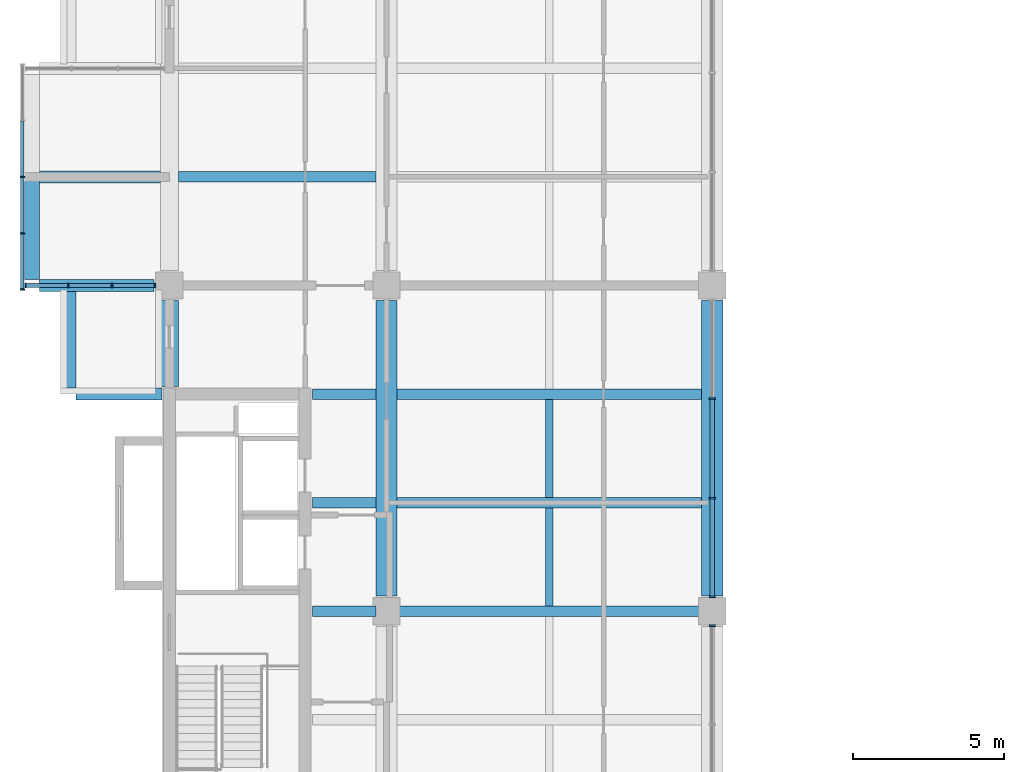
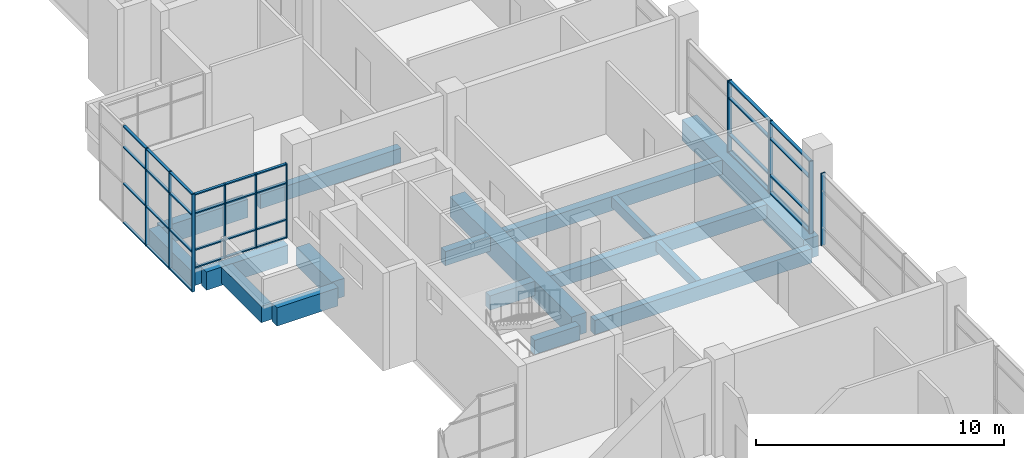
# One storey, part 11 of 32: 43 members, 17 beams, 4 elements without a shape of their own.
"""IFC4 building model written with IfcOpenShell, lengths in metres."""

from ifc_helpers import new_model, si_unit, direction, frame, origin, origin_2d, place, context, subcontext, project, spatial, rectangle, extrude, material, layer, layer_set, material_profile, profile_set, type_object, element, aggregate, save


model = new_model("IFC4")

# Units and contexts
model_context = context("Model", 3, precision=1e-05, world=origin(), true_north=direction((0.0, 1.0)))
body_context = subcontext(model_context, "Body", "Model", "MODEL_VIEW")
ifc_project = project(units=[si_unit("LENGTHUNIT", "METRE"), si_unit("AREAUNIT", "SQUARE_METRE"), si_unit("VOLUMEUNIT", "CUBIC_METRE"), si_unit("PLANEANGLEUNIT", "RADIAN"), si_unit("MASSUNIT", "GRAM", prefix="KILO")], contexts=[model_context])

# Site, building, storey
site_placement = place(None, origin())
site = spatial("IfcSite", under=ifc_project, at=site_placement, CompositionType="ELEMENT")
building_placement = place(site_placement, origin())
building = spatial("IfcBuilding", under=site, at=building_placement, Name="Basin Gate Institute", CompositionType="ELEMENT")
storey_placement = place(building_placement, frame((0.0, 0.0, 41.39990234375)))
storey = spatial("IfcBuildingStorey", under=building, at=storey_placement, Name="L08", CompositionType="ELEMENT", Elevation=41.39990234375)

# Beams
ifc_material_1 = material(Name="Concrete 40 MPa", Category="concrete")
ifc_material_profile_1 = material_profile(ifc_material_1, rectangle(XDim=0.35009765625, YDim=0.699951171875, at=origin_2d()), Name="Beam B1 350 x 700")
ifc_profile_set_1 = profile_set([ifc_material_profile_1], Name="Concrete 40 MPa")
beam_type_1 = type_object("IfcBeamType", Name="Beam B1 R120", PredefinedType="BEAM", material=ifc_profile_set_1)
beam_1_placement = place(storey_placement, frame((68.75, 67.5, -0.599853515625), z_axis=(1.0, 0.0, 0.0), x_axis=(0.0, 1.0, 0.0)))
element("IfcBeam", 1, at=beam_1_placement, inside=storey, type_object=beam_type_1, material=ifc_profile_set_1, Name="BEAM/L08/W/EW/10", PredefinedType="BEAM", context=body_context, shape_type="SweptSolid", body=[
    extrude(rectangle(XDim=0.35009765625, YDim=0.699951171875, at=origin_2d()), origin(), (0.0, 0.0, 1.0), 10.10009765625),
])
beam_2_placement = place(storey_placement, frame((65.949951171875, 67.5, -0.599853515625), z_axis=(1.0, 0.0, 0.0), x_axis=(0.0, 1.0, 0.0)))
element("IfcBeam", 2, at=beam_2_placement, inside=storey, type_object=beam_type_1, material=ifc_profile_set_1, Name="BEAM/L08/W/CORR/10", PredefinedType="BEAM", context=body_context, shape_type="SweptSolid", body=[
    extrude(rectangle(XDim=0.35009765625, YDim=0.699951171875, at=origin_2d()), origin(), (0.0, 0.0, 1.0), 2.10009765625),
])
beam_3_placement = place(storey_placement, frame((68.75, 71.10009765625, -0.599853515625), z_axis=(1.0, 0.0, 0.0), x_axis=(0.0, 1.0, 0.0)))
element("IfcBeam", 3, at=beam_3_placement, inside=storey, type_object=beam_type_1, material=ifc_profile_set_1, Name="BEAM/L08/W/EW/11", PredefinedType="BEAM", context=body_context, shape_type="SweptSolid", body=[
    extrude(rectangle(XDim=0.35009765625, YDim=0.699951171875, at=origin_2d()), origin(), (0.0, 0.0, 1.0), 10.10009765625),
])
beam_4_placement = place(storey_placement, frame((65.949951171875, 71.10009765625, -0.599853515625), z_axis=(1.0, 0.0, 0.0), x_axis=(0.0, 1.0, 0.0)))
element("IfcBeam", 4, at=beam_4_placement, inside=storey, type_object=beam_type_1, material=ifc_profile_set_1, Name="BEAM/L08/W/CORR/11", PredefinedType="BEAM", context=body_context, shape_type="SweptSolid", body=[
    extrude(rectangle(XDim=0.35009765625, YDim=0.699951171875, at=origin_2d()), origin(), (0.0, 0.0, 1.0), 2.10009765625),
])
beam_5_placement = place(storey_placement, frame((68.75, 74.699951171875, -0.599853515625), z_axis=(1.0, 0.0, 0.0), x_axis=(0.0, 1.0, 0.0)))
element("IfcBeam", 5, at=beam_5_placement, inside=storey, type_object=beam_type_1, material=ifc_profile_set_1, Name="BEAM/L08/W/EW/12", PredefinedType="BEAM", context=body_context, shape_type="SweptSolid", body=[
    extrude(rectangle(XDim=0.35009765625, YDim=0.699951171875, at=origin_2d()), origin(), (0.0, 0.0, 1.0), 10.10009765625),
])
beam_6_placement = place(storey_placement, frame((65.949951171875, 74.699951171875, -0.599853515625), z_axis=(1.0, 0.0, 0.0), x_axis=(0.0, 1.0, 0.0)))
element("IfcBeam", 6, at=beam_6_placement, inside=storey, type_object=beam_type_1, material=ifc_profile_set_1, Name="BEAM/L08/W/CORR/12", PredefinedType="BEAM", context=body_context, shape_type="SweptSolid", body=[
    extrude(rectangle(XDim=0.35009765625, YDim=0.699951171875, at=origin_2d()), origin(), (0.0, 0.0, 1.0), 2.10009765625),
])
beam_7_placement = place(storey_placement, frame((61.5, 81.89990234375, -0.599853515625), z_axis=(1.0, 0.0, 0.0), x_axis=(0.0, 1.0, 0.0)))
element("IfcBeam", 7, at=beam_7_placement, inside=storey, type_object=beam_type_1, material=ifc_profile_set_1, Name="BEAM/L08/W/OUT/14", PredefinedType="BEAM", context=body_context, shape_type="SweptSolid", body=[
    extrude(rectangle(XDim=0.35009765625, YDim=0.699951171875, at=origin_2d()), origin(), (0.0, 0.0, 1.0), 6.550048828125),
])
ifc_material_2 = material(Name="Concrete 50 MPa", Category="concrete")
ifc_material_profile_2 = material_profile(ifc_material_2, rectangle(XDim=0.39990234375, YDim=0.89990234375, at=origin_2d()), Name="Cantilever beam B3 400 x 900")
ifc_profile_set_2 = profile_set([ifc_material_profile_2], Name="Concrete 50 MPa")
beam_type_2 = type_object("IfcBeamType", Name="Cantilever beam B3 R120", PredefinedType="BEAM", material=ifc_profile_set_2)
beam_8_placement = place(storey_placement, frame((58.10009765625, 74.699951171875, -0.699951171875), z_axis=(1.0, 0.0, 0.0), x_axis=(0.0, 1.0, 0.0)))
element("IfcBeam", 8, at=beam_8_placement, inside=storey, type_object=beam_type_2, material=ifc_profile_set_2, Name="BEAM/L08/W/CANT/12", PredefinedType="BEAM", context=body_context, shape_type="SweptSolid", body=[
    extrude(rectangle(XDim=0.39990234375, YDim=0.89990234375, at=origin_2d()), origin(), (0.0, 0.0, 1.0), 2.849853515625),
])
beam_9_placement = place(storey_placement, frame((56.89990234375, 78.300048828125, -0.699951171875), z_axis=(1.0, 0.0, 0.0), x_axis=(0.0, 1.0, 0.0)))
element("IfcBeam", 9, at=beam_9_placement, inside=storey, type_object=beam_type_2, material=ifc_profile_set_2, Name="BEAM/L08/W/CANT/13", PredefinedType="BEAM", context=body_context, shape_type="SweptSolid", body=[
    extrude(rectangle(XDim=0.39990234375, YDim=0.89990234375, at=origin_2d()), origin(), (0.0, 0.0, 1.0), 3.800048828125),
])
beam_10_placement = place(storey_placement, frame((56.89990234375, 81.89990234375, -0.699951171875), z_axis=(1.0, 0.0, 0.0), x_axis=(0.0, 1.0, 0.0)))
element("IfcBeam", 10, at=beam_10_placement, inside=storey, type_object=beam_type_2, material=ifc_profile_set_2, Name="BEAM/L08/W/CANT/14", PredefinedType="BEAM", context=body_context, shape_type="SweptSolid", body=[
    extrude(rectangle(XDim=0.39990234375, YDim=0.89990234375, at=origin_2d()), origin(), (0.0, 0.0, 1.0), 4.0),
])
ifc_material_3 = material(Name="Concrete 50 MPa", Category="concrete")
ifc_material_profile_3 = material_profile(ifc_material_3, rectangle(XDim=0.60009765625, YDim=0.89990234375, at=origin_2d()), Name="Edge return beam EB3 600 x 900")
ifc_profile_set_3 = profile_set([ifc_material_profile_3], Name="Concrete 50 MPa")
beam_type_3 = type_object("IfcBeamType", Name="Edge return beam EB3 R120", PredefinedType="SPANDREL", material=ifc_profile_set_3)
beam_11_placement = place(storey_placement, frame((61.199951171875, 74.949951171875, -0.699951171875), z_axis=(0.0, 1.0, 0.0), x_axis=(-1.0, 0.0, 0.0)))
element("IfcBeam", 11, at=beam_11_placement, inside=storey, type_object=beam_type_3, material=ifc_profile_set_3, Name="BEAM/L08/W/EDGE/3", PredefinedType="SPANDREL", context=body_context, shape_type="SweptSolid", body=[
    extrude(rectangle(XDim=0.60009765625, YDim=0.89990234375, at=origin_2d()), origin(), (0.0, 0.0, 1.0), 2.85009765625),
])
ifc_material_4 = material(Name="Concrete 50 MPa", Category="concrete")
ifc_material_profile_4 = material_profile(ifc_material_4, rectangle(XDim=0.699951171875, YDim=1.0, at=origin_2d()), Name="Girder G1 700 x 1000")
ifc_profile_set_4 = profile_set([ifc_material_profile_4], Name="Concrete 50 MPa")
beam_type_4 = type_object("IfcBeamType", Name="Girder G1 R120", PredefinedType="BEAM", material=ifc_profile_set_4)
for number, where, z_axis, x_axis, name in (
    (12, (68.39990234375, 68.0, -0.75), (0.0, 1.0, 0.0), (-1.0, 0.0, 0.0), "GIR/L08/W5/4"),
    (13, (79.199951171875, 68.0, -0.75), (0.0, 1.0, 0.0), (-1.0, 0.0, 0.0), "GIR/L08/W6/4"),
):
    element("IfcBeam", number, at=place(storey_placement, frame(where, z_axis=z_axis, x_axis=x_axis)), inside=storey, type_object=beam_type_4, material=ifc_profile_set_4, Name=name, PredefinedType="BEAM", context=body_context, shape_type="SweptSolid", body=[
        extrude(rectangle(XDim=0.699951171875, YDim=1.0, at=origin_2d()), origin(), (0.0, 0.0, 1.0), 9.800048828125),
    ])

# Curtain wall, members
ifc_material_5 = material(Name="Aluminium-framed glazing", Category="aluminium")
ifc_layer_1 = layer(ifc_material_5, 0.14990234375)
ifc_layer_set_1 = layer_set([ifc_layer_1], Name="Capsule front curtain wall CW1")
curtain_wall_type_1 = type_object("IfcCurtainWallType", Name="Capsule front curtain wall CW1", PredefinedType="NOTDEFINED", material=ifc_layer_set_1)
curtain_wall_1_placement = place(storey_placement, origin())
curtain_wall_1 = element("IfcCurtainWall", 14, at=curtain_wall_1_placement, inside=storey, type_object=curtain_wall_type_1, material=ifc_layer_set_1, Name="Capsule front curtain wall W wing capsule end L08 line 13", PredefinedType="NOTDEFINED")
ifc_material_6 = material(Name="Aluminium", Category="aluminium")
ifc_material_profile_5 = material_profile(ifc_material_6, rectangle(XDim=0.14990234375, YDim=0.050048828125, at=origin_2d()), Name="Mullion MU1 150 x 50")
ifc_profile_set_5 = profile_set([ifc_material_profile_5], Name="Aluminium")
member_type_1 = type_object("IfcMemberType", Name="Mullion MU1", PredefinedType="MULLION", material=ifc_profile_set_5)
member_1_placement = place(storey_placement, frame((56.425048828125, 78.300048828125, 0.0), z_axis=(0.0, 0.0, 1.0), x_axis=(0.0, 1.0, 0.0)))
member_1 = element("IfcMember", 15, at=member_1_placement, type_object=member_type_1, material=ifc_profile_set_5, Name="CW1 mullion 1", PredefinedType="MULLION", context=body_context, shape_type="SweptSolid", body=[
    extrude(rectangle(XDim=0.14990234375, YDim=0.050048828125, at=origin_2d()), origin(), (0.0, 0.0, 1.0), 3.650146484375),
])
member_2_placement = place(storey_placement, frame((57.85009765625, 78.300048828125, 0.0), z_axis=(0.0, 0.0, 1.0), x_axis=(0.0, 1.0, 0.0)))
member_2 = element("IfcMember", 16, at=member_2_placement, type_object=member_type_1, material=ifc_profile_set_5, Name="CW1 mullion 2", PredefinedType="MULLION", context=body_context, shape_type="SweptSolid", body=[
    extrude(rectangle(XDim=0.14990234375, YDim=0.050048828125, at=origin_2d()), origin(), (0.0, 0.0, 1.0), 3.650146484375),
])
member_3_placement = place(storey_placement, frame((59.300048828125, 78.300048828125, 0.0), z_axis=(0.0, 0.0, 1.0), x_axis=(0.0, 1.0, 0.0)))
member_3 = element("IfcMember", 17, at=member_3_placement, type_object=member_type_1, material=ifc_profile_set_5, Name="CW1 mullion 3", PredefinedType="MULLION", context=body_context, shape_type="SweptSolid", body=[
    extrude(rectangle(XDim=0.14990234375, YDim=0.050048828125, at=origin_2d()), origin(), (0.0, 0.0, 1.0), 3.650146484375),
])
member_4_placement = place(storey_placement, frame((60.72509765625, 78.300048828125, 0.0), z_axis=(0.0, 0.0, 1.0), x_axis=(0.0, 1.0, 0.0)))
member_4 = element("IfcMember", 18, at=member_4_placement, type_object=member_type_1, material=ifc_profile_set_5, Name="CW1 mullion 4", PredefinedType="MULLION", context=body_context, shape_type="SweptSolid", body=[
    extrude(rectangle(XDim=0.14990234375, YDim=0.050048828125, at=origin_2d()), origin(), (0.0, 0.0, 1.0), 3.650146484375),
])

curtain_wall_2_placement = place(storey_placement, origin())
curtain_wall_2 = element("IfcCurtainWall", 19, at=curtain_wall_2_placement, inside=storey, type_object=curtain_wall_type_1, material=ifc_layer_set_1, Name="Capsule front curtain wall W wing capsule 2 L08 front 2", PredefinedType="NOTDEFINED")
member_5_placement = place(storey_placement, frame((56.324951171875, 78.175048828125, -1.0498046875), z_axis=(0.0, 0.0, 1.0), x_axis=(-1.0, 0.0, 0.0)))
member_5 = element("IfcMember", 20, at=member_5_placement, type_object=member_type_1, material=ifc_profile_set_5, Name="CW1 mullion 1", PredefinedType="MULLION", context=body_context, shape_type="SweptSolid", body=[
    extrude(rectangle(XDim=0.14990234375, YDim=0.050048828125, at=origin_2d()), origin(), (0.0, 0.0, 1.0), 4.7998046875),
])
member_6_placement = place(storey_placement, frame((56.324951171875, 80.02490234375, -1.0498046875), z_axis=(0.0, 0.0, 1.0), x_axis=(-1.0, 0.0, 0.0)))
member_6 = element("IfcMember", 21, at=member_6_placement, type_object=member_type_1, material=ifc_profile_set_5, Name="CW1 mullion 2", PredefinedType="MULLION", context=body_context, shape_type="SweptSolid", body=[
    extrude(rectangle(XDim=0.14990234375, YDim=0.050048828125, at=origin_2d()), origin(), (0.0, 0.0, 1.0), 4.7998046875),
])
member_7_placement = place(storey_placement, frame((56.324951171875, 81.89990234375, -1.0498046875), z_axis=(0.0, 0.0, 1.0), x_axis=(-1.0, 0.0, 0.0)))
member_7 = element("IfcMember", 22, at=member_7_placement, type_object=member_type_1, material=ifc_profile_set_5, Name="CW1 mullion 3", PredefinedType="MULLION", context=body_context, shape_type="SweptSolid", body=[
    extrude(rectangle(XDim=0.14990234375, YDim=0.050048828125, at=origin_2d()), origin(), (0.0, 0.0, 1.0), 4.7998046875),
])

# Curtain wall, member
ifc_material_7 = material(Name="Aluminium-framed glazing", Category="aluminium")
ifc_layer_2 = layer(ifc_material_7, 0.199951171875)
ifc_layer_set_2 = layer_set([ifc_layer_2], Name="Atrium curtain wall CW2")
curtain_wall_type_2 = type_object("IfcCurtainWallType", Name="Atrium curtain wall CW2", PredefinedType="NOTDEFINED", material=ifc_layer_set_2)
curtain_wall_3_placement = place(storey_placement, origin())
curtain_wall_3 = element("IfcCurtainWall", 23, at=curtain_wall_3_placement, inside=storey, type_object=curtain_wall_type_2, material=ifc_layer_set_2, Name="Atrium curtain wall W wing atrium bay 3 L08", PredefinedType="NOTDEFINED")
ifc_material_8 = material(Name="Aluminium", Category="aluminium")
ifc_material_profile_6 = material_profile(ifc_material_8, rectangle(XDim=0.199951171875, YDim=0.06005859375, at=origin_2d()), Name="Mullion MU2 200 x 60")
ifc_profile_set_6 = profile_set([ifc_material_profile_6], Name="Aluminium")
member_type_2 = type_object("IfcMemberType", Name="Mullion MU2", PredefinedType="MULLION", material=ifc_profile_set_6)
member_8_placement = place(storey_placement, frame((79.199951171875, 67.02001953125, 0.0), z_axis=(0.0, 0.0, 1.0), x_axis=(-1.0, 0.0, 0.0)))
member_8 = element("IfcMember", 24, at=member_8_placement, type_object=member_type_2, material=ifc_profile_set_6, Name="CW2 mullion 4", PredefinedType="MULLION", context=body_context, shape_type="SweptSolid", body=[
    extrude(rectangle(XDim=0.199951171875, YDim=0.06005859375, at=origin_2d()), origin(), (0.0, 0.0, 1.0), 3.550048828125),
])
aggregate(curtain_wall_3, [member_8])

# Curtain wall, members
curtain_wall_4_placement = place(storey_placement, origin())
curtain_wall_4 = element("IfcCurtainWall", 25, at=curtain_wall_4_placement, inside=storey, type_object=curtain_wall_type_2, material=ifc_layer_set_2, Name="Atrium curtain wall W wing atrium bay 4 L08", PredefinedType="NOTDEFINED")
member_9_placement = place(storey_placement, frame((79.199951171875, 67.97998046875, 0.0), z_axis=(0.0, 0.0, 1.0), x_axis=(-1.0, 0.0, 0.0)))
member_9 = element("IfcMember", 26, at=member_9_placement, type_object=member_type_2, material=ifc_profile_set_6, Name="CW2 mullion 1", PredefinedType="MULLION", context=body_context, shape_type="SweptSolid", body=[
    extrude(rectangle(XDim=0.199951171875, YDim=0.06005859375, at=origin_2d()), origin(), (0.0, 0.0, 1.0), 3.550048828125),
])
member_10_placement = place(storey_placement, frame((79.199951171875, 71.25, 0.0), z_axis=(0.0, 0.0, 1.0), x_axis=(-1.0, 0.0, 0.0)))
member_10 = element("IfcMember", 27, at=member_10_placement, type_object=member_type_2, material=ifc_profile_set_6, Name="CW2 mullion 2", PredefinedType="MULLION", context=body_context, shape_type="SweptSolid", body=[
    extrude(rectangle(XDim=0.199951171875, YDim=0.06005859375, at=origin_2d()), origin(), (0.0, 0.0, 1.0), 3.550048828125),
])
member_11_placement = place(storey_placement, frame((79.199951171875, 74.550048828125, 0.0), z_axis=(0.0, 0.0, 1.0), x_axis=(-1.0, 0.0, 0.0)))
member_11 = element("IfcMember", 28, at=member_11_placement, type_object=member_type_2, material=ifc_profile_set_6, Name="CW2 mullion 3", PredefinedType="MULLION", context=body_context, shape_type="SweptSolid", body=[
    extrude(rectangle(XDim=0.199951171875, YDim=0.06005859375, at=origin_2d()), origin(), (0.0, 0.0, 1.0), 3.550048828125),
])

# Beams
ifc_material_9 = material(Name="Concrete 40 MPa", Category="concrete")
ifc_material_profile_7 = material_profile(ifc_material_9, rectangle(XDim=0.25, YDim=0.5, at=origin_2d()), Name="Rib R1 250 x 500")
ifc_profile_set_7 = profile_set([ifc_material_profile_7], Name="Concrete 40 MPa")
beam_type_5 = type_object("IfcBeamType", Name="Rib R1 R120", PredefinedType="JOIST", material=ifc_profile_set_7)
for number, where, z_axis, x_axis, name in (
    (29, (73.800048828125, 67.675048828125, -0.5), (0.0, 1.0, 0.0), (-1.0, 0.0, 0.0), "BEAM/L08/W/RIB/10"),
    (30, (73.800048828125, 71.27490234375, -0.5), (0.0, 1.0, 0.0), (-1.0, 0.0, 0.0), "BEAM/L08/W/RIB/11"),
):
    element("IfcBeam", number, at=place(storey_placement, frame(where, z_axis=z_axis, x_axis=x_axis)), inside=storey, type_object=beam_type_5, material=ifc_profile_set_7, Name=name, PredefinedType="JOIST", context=body_context, shape_type="SweptSolid", body=[
        extrude(rectangle(XDim=0.25, YDim=0.5, at=origin_2d()), origin(), (0.0, 0.0, 1.0), 3.25),
    ])
ifc_material_10 = material(Name="Concrete 50 MPa", Category="concrete")
ifc_material_profile_8 = material_profile(ifc_material_10, rectangle(XDim=0.5, YDim=0.800048828125, at=origin_2d()), Name="Tip beam TB1 500 x 800")
ifc_profile_set_8 = profile_set([ifc_material_profile_8], Name="Concrete 50 MPa")
beam_type_6 = type_object("IfcBeamType", Name="Tip beam TB1 R120", PredefinedType="SPANDREL", material=ifc_profile_set_8)
beam_12_placement = place(storey_placement, frame((57.85009765625, 74.89990234375, -0.64990234375), z_axis=(0.0, 1.0, 0.0), x_axis=(-1.0, 0.0, 0.0)))
element("IfcBeam", 31, at=beam_12_placement, inside=storey, type_object=beam_type_6, material=ifc_profile_set_8, Name="BEAM/L08/W/TIP/5", PredefinedType="SPANDREL", context=body_context, shape_type="SweptSolid", body=[
    extrude(rectangle(XDim=0.5, YDim=0.800048828125, at=origin_2d()), origin(), (0.0, 0.0, 1.0), 3.2001953125),
])
beam_13_placement = place(storey_placement, frame((56.64990234375, 78.5, -0.64990234375), z_axis=(0.0, 1.0, 0.0), x_axis=(-1.0, 0.0, 0.0)))
element("IfcBeam", 32, at=beam_13_placement, inside=storey, type_object=beam_type_6, material=ifc_profile_set_8, Name="BEAM/L08/W/TIP/6", PredefinedType="SPANDREL", context=body_context, shape_type="SweptSolid", body=[
    extrude(rectangle(XDim=0.5, YDim=0.800048828125, at=origin_2d()), origin(), (0.0, 0.0, 1.0), 3.39990234375),
])

# Member
ifc_material_11 = material(Name="Aluminium", Category="aluminium")
ifc_material_profile_9 = material_profile(ifc_material_11, rectangle(XDim=0.1201171875, YDim=0.06005859375, at=origin_2d()), Name="Transom TR1 120 x 60")
ifc_profile_set_9 = profile_set([ifc_material_profile_9], Name="Aluminium")
member_type_3 = type_object("IfcMemberType", Name="Transom TR1", PredefinedType="USERDEFINED", material=ifc_profile_set_9)
member_12_placement = place(storey_placement, frame((56.449951171875, 78.300048828125, 0.030029296875), z_axis=(1.0, 0.0, 0.0), x_axis=(0.0, 1.0, 0.0)))
member_12 = element("IfcMember", 33, at=member_12_placement, type_object=member_type_3, material=ifc_profile_set_9, Name="CW1 transom 1.1", ObjectType="TRANSOM", PredefinedType="USERDEFINED", context=body_context, shape_type="SweptSolid", body=[
    extrude(rectangle(XDim=0.1201171875, YDim=0.06005859375, at=origin_2d()), origin(), (0.0, 0.0, 1.0), 1.375),
])

member_13_placement = place(storey_placement, frame((56.449951171875, 78.300048828125, 0.900146484375), z_axis=(1.0, 0.0, 0.0), x_axis=(0.0, 1.0, 0.0)))
member_13 = element("IfcMember", 34, at=member_13_placement, type_object=member_type_3, material=ifc_profile_set_9, Name="CW1 transom 1.2", ObjectType="TRANSOM", PredefinedType="USERDEFINED", context=body_context, shape_type="SweptSolid", body=[
    extrude(rectangle(XDim=0.1201171875, YDim=0.06005859375, at=origin_2d()), origin(), (0.0, 0.0, 1.0), 1.375),
])

member_14_placement = place(storey_placement, frame((56.449951171875, 78.300048828125, 2.7001953125), z_axis=(1.0, 0.0, 0.0), x_axis=(0.0, 1.0, 0.0)))
member_14 = element("IfcMember", 35, at=member_14_placement, type_object=member_type_3, material=ifc_profile_set_9, Name="CW1 transom 1.3", ObjectType="TRANSOM", PredefinedType="USERDEFINED", context=body_context, shape_type="SweptSolid", body=[
    extrude(rectangle(XDim=0.1201171875, YDim=0.06005859375, at=origin_2d()), origin(), (0.0, 0.0, 1.0), 1.375),
])

member_15_placement = place(storey_placement, frame((56.449951171875, 78.300048828125, 3.6201171875), z_axis=(1.0, 0.0, 0.0), x_axis=(0.0, 1.0, 0.0)))
member_15 = element("IfcMember", 36, at=member_15_placement, type_object=member_type_3, material=ifc_profile_set_9, Name="CW1 transom 1.4", ObjectType="TRANSOM", PredefinedType="USERDEFINED", context=body_context, shape_type="SweptSolid", body=[
    extrude(rectangle(XDim=0.1201171875, YDim=0.06005859375, at=origin_2d()), origin(), (0.0, 0.0, 1.0), 1.375),
])

member_16_placement = place(storey_placement, frame((57.875, 78.300048828125, 0.030029296875), z_axis=(1.0, 0.0, 0.0), x_axis=(0.0, 1.0, 0.0)))
member_16 = element("IfcMember", 37, at=member_16_placement, type_object=member_type_3, material=ifc_profile_set_9, Name="CW1 transom 2.1", ObjectType="TRANSOM", PredefinedType="USERDEFINED", context=body_context, shape_type="SweptSolid", body=[
    extrude(rectangle(XDim=0.1201171875, YDim=0.06005859375, at=origin_2d()), origin(), (0.0, 0.0, 1.0), 1.39990234375),
])

member_17_placement = place(storey_placement, frame((57.875, 78.300048828125, 0.900146484375), z_axis=(1.0, 0.0, 0.0), x_axis=(0.0, 1.0, 0.0)))
member_17 = element("IfcMember", 38, at=member_17_placement, type_object=member_type_3, material=ifc_profile_set_9, Name="CW1 transom 2.2", ObjectType="TRANSOM", PredefinedType="USERDEFINED", context=body_context, shape_type="SweptSolid", body=[
    extrude(rectangle(XDim=0.1201171875, YDim=0.06005859375, at=origin_2d()), origin(), (0.0, 0.0, 1.0), 1.39990234375),
])

member_18_placement = place(storey_placement, frame((57.875, 78.300048828125, 2.7001953125), z_axis=(1.0, 0.0, 0.0), x_axis=(0.0, 1.0, 0.0)))
member_18 = element("IfcMember", 39, at=member_18_placement, type_object=member_type_3, material=ifc_profile_set_9, Name="CW1 transom 2.3", ObjectType="TRANSOM", PredefinedType="USERDEFINED", context=body_context, shape_type="SweptSolid", body=[
    extrude(rectangle(XDim=0.1201171875, YDim=0.06005859375, at=origin_2d()), origin(), (0.0, 0.0, 1.0), 1.39990234375),
])

member_19_placement = place(storey_placement, frame((57.875, 78.300048828125, 3.6201171875), z_axis=(1.0, 0.0, 0.0), x_axis=(0.0, 1.0, 0.0)))
member_19 = element("IfcMember", 40, at=member_19_placement, type_object=member_type_3, material=ifc_profile_set_9, Name="CW1 transom 2.4", ObjectType="TRANSOM", PredefinedType="USERDEFINED", context=body_context, shape_type="SweptSolid", body=[
    extrude(rectangle(XDim=0.1201171875, YDim=0.06005859375, at=origin_2d()), origin(), (0.0, 0.0, 1.0), 1.39990234375),
])

member_20_placement = place(storey_placement, frame((59.324951171875, 78.300048828125, 0.030029296875), z_axis=(1.0, 0.0, 0.0), x_axis=(0.0, 1.0, 0.0)))
member_20 = element("IfcMember", 41, at=member_20_placement, type_object=member_type_3, material=ifc_profile_set_9, Name="CW1 transom 3.1", ObjectType="TRANSOM", PredefinedType="USERDEFINED", context=body_context, shape_type="SweptSolid", body=[
    extrude(rectangle(XDim=0.1201171875, YDim=0.06005859375, at=origin_2d()), origin(), (0.0, 0.0, 1.0), 1.375),
])

member_21_placement = place(storey_placement, frame((59.324951171875, 78.300048828125, 0.900146484375), z_axis=(1.0, 0.0, 0.0), x_axis=(0.0, 1.0, 0.0)))
member_21 = element("IfcMember", 42, at=member_21_placement, type_object=member_type_3, material=ifc_profile_set_9, Name="CW1 transom 3.2", ObjectType="TRANSOM", PredefinedType="USERDEFINED", context=body_context, shape_type="SweptSolid", body=[
    extrude(rectangle(XDim=0.1201171875, YDim=0.06005859375, at=origin_2d()), origin(), (0.0, 0.0, 1.0), 1.375),
])

member_22_placement = place(storey_placement, frame((59.324951171875, 78.300048828125, 2.7001953125), z_axis=(1.0, 0.0, 0.0), x_axis=(0.0, 1.0, 0.0)))
member_22 = element("IfcMember", 43, at=member_22_placement, type_object=member_type_3, material=ifc_profile_set_9, Name="CW1 transom 3.3", ObjectType="TRANSOM", PredefinedType="USERDEFINED", context=body_context, shape_type="SweptSolid", body=[
    extrude(rectangle(XDim=0.1201171875, YDim=0.06005859375, at=origin_2d()), origin(), (0.0, 0.0, 1.0), 1.375),
])

member_23_placement = place(storey_placement, frame((59.324951171875, 78.300048828125, 3.6201171875), z_axis=(1.0, 0.0, 0.0), x_axis=(0.0, 1.0, 0.0)))
member_23 = element("IfcMember", 44, at=member_23_placement, type_object=member_type_3, material=ifc_profile_set_9, Name="CW1 transom 3.4", ObjectType="TRANSOM", PredefinedType="USERDEFINED", context=body_context, shape_type="SweptSolid", body=[
    extrude(rectangle(XDim=0.1201171875, YDim=0.06005859375, at=origin_2d()), origin(), (0.0, 0.0, 1.0), 1.375),
])

aggregate(curtain_wall_1, [member_1, member_2, member_3, member_4, member_12, member_13, member_14, member_15, member_16, member_17, member_18, member_19, member_20, member_21, member_22, member_23])

member_24_placement = place(storey_placement, frame((56.324951171875, 78.199951171875, -1.02001953125), z_axis=(0.0, 1.0, 0.0), x_axis=(-1.0, 0.0, 0.0)))
member_24 = element("IfcMember", 45, at=member_24_placement, type_object=member_type_3, material=ifc_profile_set_9, Name="CW1 transom 1.1", ObjectType="TRANSOM", PredefinedType="USERDEFINED", context=body_context, shape_type="SweptSolid", body=[
    extrude(rectangle(XDim=0.1201171875, YDim=0.06005859375, at=origin_2d()), origin(), (0.0, 0.0, 1.0), 1.800048828125),
])

member_25_placement = place(storey_placement, frame((56.324951171875, 78.199951171875, 0.900146484375), z_axis=(0.0, 1.0, 0.0), x_axis=(-1.0, 0.0, 0.0)))
member_25 = element("IfcMember", 46, at=member_25_placement, type_object=member_type_3, material=ifc_profile_set_9, Name="CW1 transom 1.2", ObjectType="TRANSOM", PredefinedType="USERDEFINED", context=body_context, shape_type="SweptSolid", body=[
    extrude(rectangle(XDim=0.1201171875, YDim=0.06005859375, at=origin_2d()), origin(), (0.0, 0.0, 1.0), 1.800048828125),
])

member_26_placement = place(storey_placement, frame((56.324951171875, 78.199951171875, 2.7001953125), z_axis=(0.0, 1.0, 0.0), x_axis=(-1.0, 0.0, 0.0)))
member_26 = element("IfcMember", 47, at=member_26_placement, type_object=member_type_3, material=ifc_profile_set_9, Name="CW1 transom 1.3", ObjectType="TRANSOM", PredefinedType="USERDEFINED", context=body_context, shape_type="SweptSolid", body=[
    extrude(rectangle(XDim=0.1201171875, YDim=0.06005859375, at=origin_2d()), origin(), (0.0, 0.0, 1.0), 1.800048828125),
])

member_27_placement = place(storey_placement, frame((56.324951171875, 78.199951171875, 3.72021484375), z_axis=(0.0, 1.0, 0.0), x_axis=(-1.0, 0.0, 0.0)))
member_27 = element("IfcMember", 48, at=member_27_placement, type_object=member_type_3, material=ifc_profile_set_9, Name="CW1 transom 1.4", ObjectType="TRANSOM", PredefinedType="USERDEFINED", context=body_context, shape_type="SweptSolid", body=[
    extrude(rectangle(XDim=0.1201171875, YDim=0.06005859375, at=origin_2d()), origin(), (0.0, 0.0, 1.0), 1.800048828125),
])

member_28_placement = place(storey_placement, frame((56.324951171875, 80.050048828125, -1.02001953125), z_axis=(0.0, 1.0, 0.0), x_axis=(-1.0, 0.0, 0.0)))
member_28 = element("IfcMember", 49, at=member_28_placement, type_object=member_type_3, material=ifc_profile_set_9, Name="CW1 transom 2.1", ObjectType="TRANSOM", PredefinedType="USERDEFINED", context=body_context, shape_type="SweptSolid", body=[
    extrude(rectangle(XDim=0.1201171875, YDim=0.06005859375, at=origin_2d()), origin(), (0.0, 0.0, 1.0), 1.824951171875),
])

member_29_placement = place(storey_placement, frame((56.324951171875, 80.050048828125, 0.900146484375), z_axis=(0.0, 1.0, 0.0), x_axis=(-1.0, 0.0, 0.0)))
member_29 = element("IfcMember", 50, at=member_29_placement, type_object=member_type_3, material=ifc_profile_set_9, Name="CW1 transom 2.2", ObjectType="TRANSOM", PredefinedType="USERDEFINED", context=body_context, shape_type="SweptSolid", body=[
    extrude(rectangle(XDim=0.1201171875, YDim=0.06005859375, at=origin_2d()), origin(), (0.0, 0.0, 1.0), 1.824951171875),
])

member_30_placement = place(storey_placement, frame((56.324951171875, 80.050048828125, 2.7001953125), z_axis=(0.0, 1.0, 0.0), x_axis=(-1.0, 0.0, 0.0)))
member_30 = element("IfcMember", 51, at=member_30_placement, type_object=member_type_3, material=ifc_profile_set_9, Name="CW1 transom 2.3", ObjectType="TRANSOM", PredefinedType="USERDEFINED", context=body_context, shape_type="SweptSolid", body=[
    extrude(rectangle(XDim=0.1201171875, YDim=0.06005859375, at=origin_2d()), origin(), (0.0, 0.0, 1.0), 1.824951171875),
])

member_31_placement = place(storey_placement, frame((56.324951171875, 80.050048828125, 3.72021484375), z_axis=(0.0, 1.0, 0.0), x_axis=(-1.0, 0.0, 0.0)))
member_31 = element("IfcMember", 52, at=member_31_placement, type_object=member_type_3, material=ifc_profile_set_9, Name="CW1 transom 2.4", ObjectType="TRANSOM", PredefinedType="USERDEFINED", context=body_context, shape_type="SweptSolid", body=[
    extrude(rectangle(XDim=0.1201171875, YDim=0.06005859375, at=origin_2d()), origin(), (0.0, 0.0, 1.0), 1.824951171875),
])

member_32_placement = place(storey_placement, frame((56.324951171875, 81.925048828125, -1.02001953125), z_axis=(0.0, 1.0, 0.0), x_axis=(-1.0, 0.0, 0.0)))
member_32 = element("IfcMember", 53, at=member_32_placement, type_object=member_type_3, material=ifc_profile_set_9, Name="CW1 transom 3.1", ObjectType="TRANSOM", PredefinedType="USERDEFINED", context=body_context, shape_type="SweptSolid", body=[
    extrude(rectangle(XDim=0.1201171875, YDim=0.06005859375, at=origin_2d()), origin(), (0.0, 0.0, 1.0), 1.824951171875),
])

member_33_placement = place(storey_placement, frame((56.324951171875, 81.925048828125, 0.900146484375), z_axis=(0.0, 1.0, 0.0), x_axis=(-1.0, 0.0, 0.0)))
member_33 = element("IfcMember", 54, at=member_33_placement, type_object=member_type_3, material=ifc_profile_set_9, Name="CW1 transom 3.2", ObjectType="TRANSOM", PredefinedType="USERDEFINED", context=body_context, shape_type="SweptSolid", body=[
    extrude(rectangle(XDim=0.1201171875, YDim=0.06005859375, at=origin_2d()), origin(), (0.0, 0.0, 1.0), 1.824951171875),
])

member_34_placement = place(storey_placement, frame((56.324951171875, 81.925048828125, 2.7001953125), z_axis=(0.0, 1.0, 0.0), x_axis=(-1.0, 0.0, 0.0)))
member_34 = element("IfcMember", 55, at=member_34_placement, type_object=member_type_3, material=ifc_profile_set_9, Name="CW1 transom 3.3", ObjectType="TRANSOM", PredefinedType="USERDEFINED", context=body_context, shape_type="SweptSolid", body=[
    extrude(rectangle(XDim=0.1201171875, YDim=0.06005859375, at=origin_2d()), origin(), (0.0, 0.0, 1.0), 1.824951171875),
])

member_35_placement = place(storey_placement, frame((56.324951171875, 81.925048828125, 3.72021484375), z_axis=(0.0, 1.0, 0.0), x_axis=(-1.0, 0.0, 0.0)))
member_35 = element("IfcMember", 56, at=member_35_placement, type_object=member_type_3, material=ifc_profile_set_9, Name="CW1 transom 3.4", ObjectType="TRANSOM", PredefinedType="USERDEFINED", context=body_context, shape_type="SweptSolid", body=[
    extrude(rectangle(XDim=0.1201171875, YDim=0.06005859375, at=origin_2d()), origin(), (0.0, 0.0, 1.0), 1.824951171875),
])

aggregate(curtain_wall_2, [member_5, member_6, member_7, member_24, member_25, member_26, member_27, member_28, member_29, member_30, member_31, member_32, member_33, member_34, member_35])

ifc_material_12 = material(Name="Aluminium", Category="aluminium")
ifc_material_profile_10 = material_profile(ifc_material_12, rectangle(XDim=0.14990234375, YDim=0.06005859375, at=origin_2d()), Name="Transom TR2 150 x 60")
ifc_profile_set_10 = profile_set([ifc_material_profile_10], Name="Aluminium")
member_type_4 = type_object("IfcMemberType", Name="Transom TR2", PredefinedType="USERDEFINED", material=ifc_profile_set_10)
member_36_placement = place(storey_placement, frame((79.199951171875, 68.010009765625, 0.030029296875), z_axis=(0.0, 1.0, 0.0), x_axis=(-1.0, 0.0, 0.0)))
member_36 = element("IfcMember", 57, at=member_36_placement, type_object=member_type_4, material=ifc_profile_set_10, Name="CW2 transom 1.1", ObjectType="TRANSOM", PredefinedType="USERDEFINED", context=body_context, shape_type="SweptSolid", body=[
    extrude(rectangle(XDim=0.14990234375, YDim=0.06005859375, at=origin_2d()), origin(), (0.0, 0.0, 1.0), 3.2099609375),
])

member_37_placement = place(storey_placement, frame((79.199951171875, 68.010009765625, 0.900146484375), z_axis=(0.0, 1.0, 0.0), x_axis=(-1.0, 0.0, 0.0)))
member_37 = element("IfcMember", 58, at=member_37_placement, type_object=member_type_4, material=ifc_profile_set_10, Name="CW2 transom 1.2", ObjectType="TRANSOM", PredefinedType="USERDEFINED", context=body_context, shape_type="SweptSolid", body=[
    extrude(rectangle(XDim=0.14990234375, YDim=0.06005859375, at=origin_2d()), origin(), (0.0, 0.0, 1.0), 3.2099609375),
])

member_38_placement = place(storey_placement, frame((79.199951171875, 68.010009765625, 2.7001953125), z_axis=(0.0, 1.0, 0.0), x_axis=(-1.0, 0.0, 0.0)))
member_38 = element("IfcMember", 59, at=member_38_placement, type_object=member_type_4, material=ifc_profile_set_10, Name="CW2 transom 1.3", ObjectType="TRANSOM", PredefinedType="USERDEFINED", context=body_context, shape_type="SweptSolid", body=[
    extrude(rectangle(XDim=0.14990234375, YDim=0.06005859375, at=origin_2d()), origin(), (0.0, 0.0, 1.0), 3.2099609375),
])

member_39_placement = place(storey_placement, frame((79.199951171875, 68.010009765625, 3.52001953125), z_axis=(0.0, 1.0, 0.0), x_axis=(-1.0, 0.0, 0.0)))
member_39 = element("IfcMember", 60, at=member_39_placement, type_object=member_type_4, material=ifc_profile_set_10, Name="CW2 transom 1.4", ObjectType="TRANSOM", PredefinedType="USERDEFINED", context=body_context, shape_type="SweptSolid", body=[
    extrude(rectangle(XDim=0.14990234375, YDim=0.06005859375, at=origin_2d()), origin(), (0.0, 0.0, 1.0), 3.2099609375),
])

member_40_placement = place(storey_placement, frame((79.199951171875, 71.280029296875, 0.030029296875), z_axis=(0.0, 1.0, 0.0), x_axis=(-1.0, 0.0, 0.0)))
member_40 = element("IfcMember", 61, at=member_40_placement, type_object=member_type_4, material=ifc_profile_set_10, Name="CW2 transom 2.1", ObjectType="TRANSOM", PredefinedType="USERDEFINED", context=body_context, shape_type="SweptSolid", body=[
    extrude(rectangle(XDim=0.14990234375, YDim=0.06005859375, at=origin_2d()), origin(), (0.0, 0.0, 1.0), 3.239990234375),
])

member_41_placement = place(storey_placement, frame((79.199951171875, 71.280029296875, 0.900146484375), z_axis=(0.0, 1.0, 0.0), x_axis=(-1.0, 0.0, 0.0)))
member_41 = element("IfcMember", 62, at=member_41_placement, type_object=member_type_4, material=ifc_profile_set_10, Name="CW2 transom 2.2", ObjectType="TRANSOM", PredefinedType="USERDEFINED", context=body_context, shape_type="SweptSolid", body=[
    extrude(rectangle(XDim=0.14990234375, YDim=0.06005859375, at=origin_2d()), origin(), (0.0, 0.0, 1.0), 3.239990234375),
])

member_42_placement = place(storey_placement, frame((79.199951171875, 71.280029296875, 2.7001953125), z_axis=(0.0, 1.0, 0.0), x_axis=(-1.0, 0.0, 0.0)))
member_42 = element("IfcMember", 63, at=member_42_placement, type_object=member_type_4, material=ifc_profile_set_10, Name="CW2 transom 2.3", ObjectType="TRANSOM", PredefinedType="USERDEFINED", context=body_context, shape_type="SweptSolid", body=[
    extrude(rectangle(XDim=0.14990234375, YDim=0.06005859375, at=origin_2d()), origin(), (0.0, 0.0, 1.0), 3.239990234375),
])

member_43_placement = place(storey_placement, frame((79.199951171875, 71.280029296875, 3.52001953125), z_axis=(0.0, 1.0, 0.0), x_axis=(-1.0, 0.0, 0.0)))
member_43 = element("IfcMember", 64, at=member_43_placement, type_object=member_type_4, material=ifc_profile_set_10, Name="CW2 transom 2.4", ObjectType="TRANSOM", PredefinedType="USERDEFINED", context=body_context, shape_type="SweptSolid", body=[
    extrude(rectangle(XDim=0.14990234375, YDim=0.06005859375, at=origin_2d()), origin(), (0.0, 0.0, 1.0), 3.239990234375),
])

aggregate(curtain_wall_4, [member_9, member_10, member_11, member_36, member_37, member_38, member_39, member_40, member_41, member_42, member_43])

save(model, "model.ifc")
